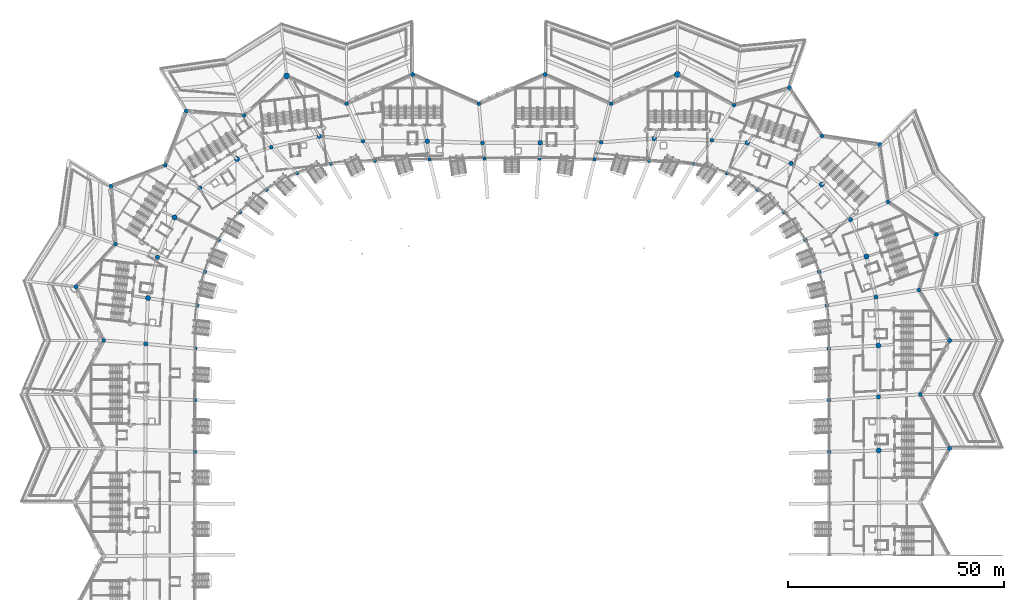
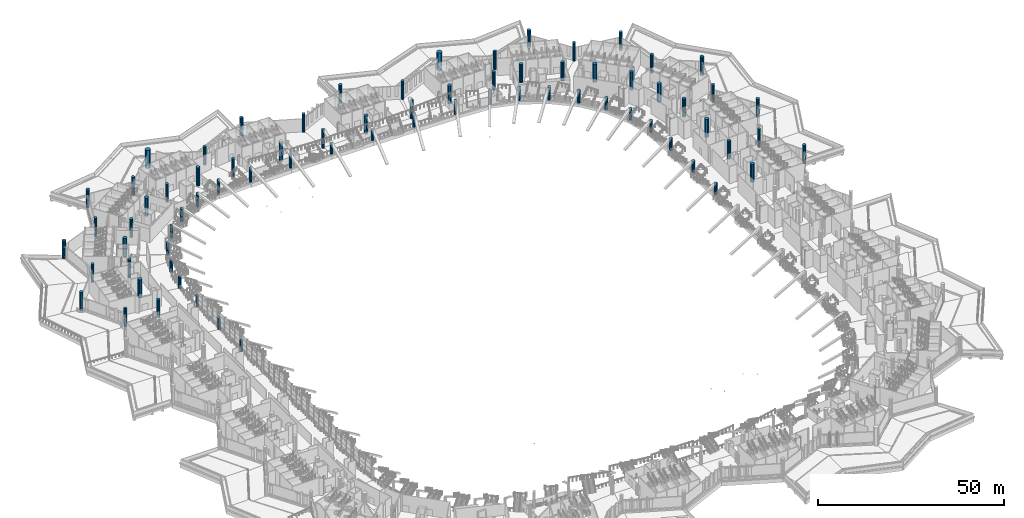
# One storey, part 2 of 173: 74 columns.
"""IFC4 building model written with IfcOpenShell, lengths in metres."""

from ifc_helpers import new_model, si_unit, direction, frame, origin, origin_2d, place, context, subcontext, project, spatial, circle, extrude, material, material_profile, profile_set, type_object, element, save


model = new_model("IFC4")

# Units and contexts
model_context = context("Model", 3, precision=1e-05, world=origin(), true_north=direction((0.0, 1.0)))
body_context = subcontext(model_context, "Body", "Model", "MODEL_VIEW")
ifc_project = project(units=[si_unit("LENGTHUNIT", "METRE"), si_unit("AREAUNIT", "SQUARE_METRE"), si_unit("VOLUMEUNIT", "CUBIC_METRE"), si_unit("PLANEANGLEUNIT", "RADIAN"), si_unit("MASSUNIT", "GRAM", prefix="KILO")], contexts=[model_context])

# Site, building, storey
site_placement = place(None, origin())
site = spatial("IfcSite", under=ifc_project, at=site_placement, CompositionType="ELEMENT")
building_placement = place(site_placement, origin())
building = spatial("IfcBuilding", under=site, at=building_placement, Name="Meseta Stadium", CompositionType="ELEMENT")
storey_placement = place(building_placement, frame((0.0, 0.0, 18.0)))
storey = spatial("IfcBuildingStorey", under=building, at=storey_placement, Name="L03", CompositionType="ELEMENT", Elevation=18.0)

# Columns
ifc_material_1 = material(Name="Concrete C40/50", Category="concrete")
ifc_material_profile_1 = material_profile(ifc_material_1, circle(Radius=0.5, at=origin_2d()), Name="RC D1000")
ifc_profile_set_1 = profile_set([ifc_material_profile_1], Name="Concrete C40/50")
column_type_1 = type_object("IfcColumnType", Name="RC column D1000", PredefinedType="COLUMN", material=ifc_profile_set_1)
for number, where, z_axis, x_axis, name in (
    (1, (101.39990234375, 18.75, 0.0), (0.0, 0.0, 1.0), (1.0, 0.0, 0.0), "Column C10 L03 frame 6 line R"),
    (2, (84.92529296875, 30.681640625, 0.0), (0.0, 0.0, 1.0), (1.0, 0.0, 0.0), "Column C10 L03 frame 7 line P"),
    (3, (101.39990234375, 43.75, 0.0), (0.0, 0.0, 1.0), (1.0, 0.0, 0.0), "Column C10 L03 frame 8 line R"),
    (4, (84.3251953125, 53.801513671875, 0.0), (0.0, 0.0, 1.0), (1.0, 0.0, 0.0), "Column C10 L03 frame 9 line P"),
    (5, (98.291015625, 68.29736328125, 0.0), (0.0, 0.0, 1.0), (1.0, 0.0, 0.0), "Column C10 L03 frame 10 line R"),
    (6, (78.4453125, 71.756103515625, 0.0), (0.0, 0.0, 1.0), (1.0, 0.0, 0.0), "Column C10 L03 frame 11 line P"),
    (7, (85.173828125, 89.173828125, 0.0), (0.0, 0.0, 1.0), (1.0, 0.0, 0.0), "Column C10 L03 frame 12 line R"),
    (8, (64.6220703125, 84.79248046875, 0.0), (0.0, 0.0, 1.0), (1.0, 0.0, 0.0), "Column C10 L03 frame 13 line P"),
    (9, (64.29736328125, 102.291015625, 0.0), (0.0, 0.0, 1.0), (1.0, 0.0, 0.0), "Column C10 L03 frame 14 line R"),
    (10, (7.666748046875, 105.39990234375, 0.0), (0.0, 0.0, 1.0), (1.0, 0.0, 0.0), "Column C10 L03 frame 18 line R"),
    (11, (-23.0, 105.39990234375, 0.0), (0.0, 0.0, 1.0), (1.0, 0.0, 0.0), "Column C10 L03 frame 20 line R"),
    (12, (-75.474609375, 96.908447265625, 0.0), (0.0, 0.0, 1.0), (1.0, 0.0, 0.0), "Column C10 L03 frame 24 line R"),
    (13, (-72.31201171875, 79.091064453125, 0.0), (0.0, 0.0, 1.0), (1.0, 0.0, 0.0), "Column C10 L03 frame 25 line P"),
    (14, (-92.908447265625, 79.474609375, 0.0), (0.0, 0.0, 1.0), (1.0, 0.0, 0.0), "Column C10 L03 frame 26 line R"),
    (15, (-82.169189453125, 63.03369140625, 0.0), (0.0, 0.0, 1.0), (1.0, 0.0, 0.0), "Column C10 L03 frame 27 line P"),
    (16, (-101.0517578125, 56.202880859375, 0.0), (0.0, 0.0, 1.0), (1.0, 0.0, 0.0), "Column C10 L03 frame 28 line R"),
    (17, (-84.85400390625, 42.948486328125, 0.0), (0.0, 0.0, 1.0), (1.0, 0.0, 0.0), "Column C10 L03 frame 29 line P"),
):
    element("IfcColumn", number, at=place(storey_placement, frame(where, z_axis=z_axis, x_axis=x_axis)), inside=storey, type_object=column_type_1, Name=name, PredefinedType="COLUMN", context=body_context, shape_type="SweptSolid", body=[
        extrude(circle(Radius=0.5, at=origin_2d()), origin(), (0.0, 0.0, 1.0), 6.0),
    ])
ifc_material_2 = material(Name="Concrete C40/50", Category="concrete")
ifc_material_profile_2 = material_profile(ifc_material_2, circle(Radius=0.550048828125, at=origin_2d()), Name="RC D1100")
ifc_profile_set_2 = profile_set([ifc_material_profile_2], Name="Concrete C40/50")
column_type_2 = type_object("IfcColumnType", Name="RC column D1100", PredefinedType="COLUMN", material=ifc_profile_set_2)
for number, where, z_axis, x_axis, name in (
    (18, (54.523193359375, 89.579345703125, 0.0), (0.0, 0.0, 1.0), (1.0, 0.0, 0.0), "Column C11 L03 frame 14 line P"),
    (19, (32.944091796875, 90.551025390625, 0.0), (0.0, 0.0, 1.0), (1.0, 0.0, 0.0), "Column C11 L03 frame 16 line P"),
    (20, (6.51708984375, 89.54638671875, 0.0), (0.0, 0.0, 1.0), (1.0, 0.0, 0.0), "Column C11 L03 frame 18 line P"),
    (21, (-19.62744140625, 89.90380859375, 0.0), (0.0, 0.0, 1.0), (1.0, 0.0, 0.0), "Column C11 L03 frame 20 line P"),
    (22, (-44.6826171875, 91.0908203125, 0.0), (0.0, 0.0, 1.0), (1.0, 0.0, 0.0), "Column C11 L03 frame 22 line P"),
):
    element("IfcColumn", number, at=place(storey_placement, frame(where, z_axis=z_axis, x_axis=x_axis)), inside=storey, type_object=column_type_2, Name=name, PredefinedType="COLUMN", context=body_context, shape_type="SweptSolid", body=[
        extrude(circle(Radius=0.550048828125, at=origin_2d()), origin(), (0.0, 0.0, 1.0), 6.0),
    ])
ifc_material_3 = material(Name="Concrete C40/50", Category="concrete")
ifc_material_profile_3 = material_profile(ifc_material_3, circle(Radius=0.60009765625, at=origin_2d()), Name="RC D1200")
ifc_profile_set_3 = profile_set([ifc_material_profile_3], Name="Concrete C40/50")
column_type_3 = type_object("IfcColumnType", Name="RC column D1200", PredefinedType="COLUMN", material=ifc_profile_set_3)
for number, where, z_axis, x_axis, name in (
    (23, (84.978515625, 18.24365234375, 0.0), (0.0, 0.0, 1.0), (1.0, 0.0, 0.0), "Column C12 L03 frame 6 line P"),
    (24, (84.884033203125, 42.5615234375, 0.0), (0.0, 0.0, 1.0), (1.0, 0.0, 0.0), "Column C12 L03 frame 8 line P"),
    (25, (82.119873046875, 63.191162109375, 0.0), (0.0, 0.0, 1.0), (1.0, 0.0, 0.0), "Column C12 L03 frame 10 line P"),
    (26, (71.775390625, 79.888916015625, 0.0), (0.0, 0.0, 1.0), (1.0, 0.0, 0.0), "Column C12 L03 frame 12 line P"),
    (27, (-63.731201171875, 85.77099609375, 0.0), (0.0, 0.0, 1.0), (1.0, 0.0, 0.0), "Column C12 L03 frame 24 line P"),
    (28, (-78.197998046875, 72.27197265625, 0.0), (0.0, 0.0, 1.0), (1.0, 0.0, 0.0), "Column C12 L03 frame 26 line P"),
    (29, (-84.36328125, 53.5654296875, 0.0), (0.0, 0.0, 1.0), (1.0, 0.0, 0.0), "Column C12 L03 frame 28 line P"),
):
    element("IfcColumn", number, at=place(storey_placement, frame(where, z_axis=z_axis, x_axis=x_axis)), inside=storey, type_object=column_type_3, Name=name, PredefinedType="COLUMN", context=body_context, shape_type="SweptSolid", body=[
        extrude(circle(Radius=0.60009765625, at=origin_2d()), origin(), (0.0, 0.0, 1.0), 6.0),
    ])
ifc_material_4 = material(Name="Concrete C40/50", Category="concrete")
ifc_material_profile_4 = material_profile(ifc_material_4, circle(Radius=0.699951171875, at=origin_2d()), Name="RC D1400")
ifc_profile_set_4 = profile_set([ifc_material_profile_4], Name="Concrete C40/50")
column_type_4 = type_object("IfcColumnType", Name="RC column D1400", PredefinedType="COLUMN", material=ifc_profile_set_4)
for number, where, z_axis, x_axis, name in (
    (30, (38.333251953125, 105.39990234375, 0.0), (0.0, 0.0, 1.0), (1.0, 0.0, 0.0), "Column C14 L03 frame 16 line R"),
    (31, (-52.202880859375, 105.0517578125, 0.0), (0.0, 0.0, 1.0), (1.0, 0.0, 0.0), "Column C14 L03 frame 22 line R"),
):
    element("IfcColumn", number, at=place(storey_placement, frame(where, z_axis=z_axis, x_axis=x_axis)), inside=storey, type_object=column_type_4, Name=name, PredefinedType="COLUMN", context=body_context, shape_type="SweptSolid", body=[
        extrude(circle(Radius=0.699951171875, at=origin_2d()), origin(), (0.0, 0.0, 1.0), 6.0),
    ])
ifc_material_5 = material(Name="Concrete C40/50", Category="concrete")
ifc_material_profile_5 = material_profile(ifc_material_5, circle(Radius=0.39990234375, at=origin_2d()), Name="RC D800")
ifc_profile_set_5 = profile_set([ifc_material_profile_5], Name="Concrete C40/50")
column_type_5 = type_object("IfcColumnType", Name="RC column D800", PredefinedType="COLUMN", material=ifc_profile_set_5)
column_1_placement = place(storey_placement, frame((49.791259765625, 82.498779296875, 0.0), z_axis=(0.0, 0.0, 1.0), x_axis=(1.0, 0.0, 0.0)))
element("IfcColumn", 32, at=column_1_placement, inside=storey, type_object=column_type_5, Name="Column C8 L03 frame 14 line E", PredefinedType="COLUMN", context=body_context, shape_type="SweptSolid", body=[
    extrude(circle(Radius=0.39990234375, at=origin_2d()), origin(), (0.0, 0.0, 1.0), 4.396484375),
])
column_2_placement = place(storey_placement, frame((42.015625, 84.707275390625, 0.0), z_axis=(0.0, 0.0, 1.0), x_axis=(1.0, 0.0, 0.0)))
element("IfcColumn", 33, at=column_2_placement, inside=storey, type_object=column_type_5, Name="Column C8 L03 frame 15 line E", PredefinedType="COLUMN", context=body_context, shape_type="SweptSolid", body=[
    extrude(circle(Radius=0.39990234375, at=origin_2d()), origin(), (0.0, 0.0, 1.0), 4.806884765625),
])
column_3_placement = place(storey_placement, frame((31.73681640625, 85.376708984375, 0.0), z_axis=(0.0, 0.0, 1.0), x_axis=(1.0, 0.0, 0.0)))
element("IfcColumn", 34, at=column_3_placement, inside=storey, type_object=column_type_5, Name="Column C8 L03 frame 16 line E", PredefinedType="COLUMN", context=body_context, shape_type="SweptSolid", body=[
    extrude(circle(Radius=0.39990234375, at=origin_2d()), origin(), (0.0, 0.0, 1.0), 4.6865234375),
])
column_4_placement = place(storey_placement, frame((19.11865234375, 85.6982421875, 0.0), z_axis=(0.0, 0.0, 1.0), x_axis=(1.0, 0.0, 0.0)))
element("IfcColumn", 35, at=column_4_placement, inside=storey, type_object=column_type_5, Name="Column C8 L03 frame 17 line E", PredefinedType="COLUMN", context=body_context, shape_type="SweptSolid", body=[
    extrude(circle(Radius=0.39990234375, at=origin_2d()), origin(), (0.0, 0.0, 1.0), 4.1533203125),
])
for number, where, z_axis, x_axis, name in (
    (36, (6.386962890625, 85.876708984375, 0.0), (0.0, 0.0, 1.0), (1.0, 0.0, 0.0), "Column C8 L03 frame 18 line E"),
    (37, (-6.386962890625, 85.876708984375, 0.0), (0.0, 0.0, 1.0), (1.0, 0.0, 0.0), "Column C8 L03 frame 19 line E"),
):
    element("IfcColumn", number, at=place(storey_placement, frame(where, z_axis=z_axis, x_axis=x_axis)), inside=storey, type_object=column_type_5, Name=name, PredefinedType="COLUMN", context=body_context, shape_type="SweptSolid", body=[
        extrude(circle(Radius=0.39990234375, at=origin_2d()), origin(), (0.0, 0.0, 1.0), 3.582763671875),
    ])
column_5_placement = place(storey_placement, frame((-19.11865234375, 85.6982421875, 0.0), z_axis=(0.0, 0.0, 1.0), x_axis=(1.0, 0.0, 0.0)))
element("IfcColumn", 38, at=column_5_placement, inside=storey, type_object=column_type_5, Name="Column C8 L03 frame 20 line E", PredefinedType="COLUMN", context=body_context, shape_type="SweptSolid", body=[
    extrude(circle(Radius=0.39990234375, at=origin_2d()), origin(), (0.0, 0.0, 1.0), 4.1533203125),
])
column_6_placement = place(storey_placement, frame((-31.73681640625, 85.376708984375, 0.0), z_axis=(0.0, 0.0, 1.0), x_axis=(1.0, 0.0, 0.0)))
element("IfcColumn", 39, at=column_6_placement, inside=storey, type_object=column_type_5, Name="Column C8 L03 frame 21 line E", PredefinedType="COLUMN", context=body_context, shape_type="SweptSolid", body=[
    extrude(circle(Radius=0.39990234375, at=origin_2d()), origin(), (0.0, 0.0, 1.0), 4.6865234375),
])
column_7_placement = place(storey_placement, frame((-42.015625, 84.707275390625, 0.0), z_axis=(0.0, 0.0, 1.0), x_axis=(1.0, 0.0, 0.0)))
element("IfcColumn", 40, at=column_7_placement, inside=storey, type_object=column_type_5, Name="Column C8 L03 frame 22 line E", PredefinedType="COLUMN", context=body_context, shape_type="SweptSolid", body=[
    extrude(circle(Radius=0.39990234375, at=origin_2d()), origin(), (0.0, 0.0, 1.0), 4.806884765625),
])
column_8_placement = place(storey_placement, frame((-49.791259765625, 82.498779296875, 0.0), z_axis=(0.0, 0.0, 1.0), x_axis=(1.0, 0.0, 0.0)))
element("IfcColumn", 41, at=column_8_placement, inside=storey, type_object=column_type_5, Name="Column C8 L03 frame 23 line E", PredefinedType="COLUMN", context=body_context, shape_type="SweptSolid", body=[
    extrude(circle(Radius=0.39990234375, at=origin_2d()), origin(), (0.0, 0.0, 1.0), 4.396484375),
])
ifc_material_6 = material(Name="Concrete C40/50", Category="concrete")
ifc_material_profile_6 = material_profile(ifc_material_6, circle(Radius=0.449951171875, at=origin_2d()), Name="RC D900")
ifc_profile_set_6 = profile_set([ifc_material_profile_6], Name="Concrete C40/50")
column_type_6 = type_object("IfcColumnType", Name="RC column D900", PredefinedType="COLUMN", material=ifc_profile_set_6)
column_9_placement = place(storey_placement, frame((73.482421875, 17.943603515625, 0.0), z_axis=(0.0, 0.0, 1.0), x_axis=(1.0, 0.0, 0.0)))
element("IfcColumn", 42, at=column_9_placement, inside=storey, type_object=column_type_6, Name="Column C9 L03 frame 6 line E", PredefinedType="COLUMN", context=body_context, shape_type="SweptSolid", body=[
    extrude(circle(Radius=0.449951171875, at=origin_2d()), origin(), (0.0, 0.0, 1.0), 3.726806640625),
])
column_10_placement = place(storey_placement, frame((73.451171875, 29.904052734375, 0.0), z_axis=(0.0, 0.0, 1.0), x_axis=(1.0, 0.0, 0.0)))
element("IfcColumn", 43, at=column_10_placement, inside=storey, type_object=column_type_6, Name="Column C9 L03 frame 7 line E", PredefinedType="COLUMN", context=body_context, shape_type="SweptSolid", body=[
    extrude(circle(Radius=0.449951171875, at=origin_2d()), origin(), (0.0, 0.0, 1.0), 3.8037109375),
])
column_11_placement = place(storey_placement, frame((94.60009765625, 31.25, 0.0), z_axis=(0.0, 0.0, 1.0), x_axis=(1.0, 0.0, 0.0)))
element("IfcColumn", 44, at=column_11_placement, inside=storey, type_object=column_type_6, Name="Column C9 L03 frame 7 line R", PredefinedType="COLUMN", context=body_context, shape_type="SweptSolid", body=[
    extrude(circle(Radius=0.449951171875, at=origin_2d()), origin(), (0.0, 0.0, 1.0), 6.0),
])
column_12_placement = place(storey_placement, frame((73.40478515625, 41.8623046875, 0.0), z_axis=(0.0, 0.0, 1.0), x_axis=(1.0, 0.0, 0.0)))
element("IfcColumn", 45, at=column_12_placement, inside=storey, type_object=column_type_6, Name="Column C9 L03 frame 8 line E", PredefinedType="COLUMN", context=body_context, shape_type="SweptSolid", body=[
    extrude(circle(Radius=0.449951171875, at=origin_2d()), origin(), (0.0, 0.0, 1.0), 3.88037109375),
])
column_13_placement = place(storey_placement, frame((72.9921875, 51.84716796875, 0.0), z_axis=(0.0, 0.0, 1.0), x_axis=(1.0, 0.0, 0.0)))
element("IfcColumn", 46, at=column_13_placement, inside=storey, type_object=column_type_6, Name="Column C9 L03 frame 9 line E", PredefinedType="COLUMN", context=body_context, shape_type="SweptSolid", body=[
    extrude(circle(Radius=0.449951171875, at=origin_2d()), origin(), (0.0, 0.0, 1.0), 3.880615234375),
])
column_14_placement = place(storey_placement, frame((94.29443359375, 55.44140625, 0.0), z_axis=(0.0, 0.0, 1.0), x_axis=(1.0, 0.0, 0.0)))
element("IfcColumn", 47, at=column_14_placement, inside=storey, type_object=column_type_6, Name="Column C9 L03 frame 9 line R", PredefinedType="COLUMN", context=body_context, shape_type="SweptSolid", body=[
    extrude(circle(Radius=0.449951171875, at=origin_2d()), origin(), (0.0, 0.0, 1.0), 6.0),
])
column_15_placement = place(storey_placement, frame((71.169677734375, 59.67724609375, 0.0), z_axis=(0.0, 0.0, 1.0), x_axis=(1.0, 0.0, 0.0)))
element("IfcColumn", 48, at=column_15_placement, inside=storey, type_object=column_type_6, Name="Column C9 L03 frame 10 line E", PredefinedType="COLUMN", context=body_context, shape_type="SweptSolid", body=[
    extrude(circle(Radius=0.449951171875, at=origin_2d()), origin(), (0.0, 0.0, 1.0), 3.697509765625),
])
column_16_placement = place(storey_placement, frame((67.972412109375, 67.057861328125, 0.0), z_axis=(0.0, 0.0, 1.0), x_axis=(1.0, 0.0, 0.0)))
element("IfcColumn", 49, at=column_16_placement, inside=storey, type_object=column_type_6, Name="Column C9 L03 frame 11 line E", PredefinedType="COLUMN", context=body_context, shape_type="SweptSolid", body=[
    extrude(circle(Radius=0.449951171875, at=origin_2d()), origin(), (0.0, 0.0, 1.0), 3.95361328125),
])
column_17_placement = place(storey_placement, frame((87.15087890625, 75.856689453125, 0.0), z_axis=(0.0, 0.0, 1.0), x_axis=(1.0, 0.0, 0.0)))
element("IfcColumn", 50, at=column_17_placement, inside=storey, type_object=column_type_6, Name="Column C9 L03 frame 11 line R", PredefinedType="COLUMN", context=body_context, shape_type="SweptSolid", body=[
    extrude(circle(Radius=0.449951171875, at=origin_2d()), origin(), (0.0, 0.0, 1.0), 6.0),
])
column_18_placement = place(storey_placement, frame((63.068115234375, 73.469970703125, 0.0), z_axis=(0.0, 0.0, 1.0), x_axis=(1.0, 0.0, 0.0)))
element("IfcColumn", 51, at=column_18_placement, inside=storey, type_object=column_type_6, Name="Column C9 L03 frame 12 line E", PredefinedType="COLUMN", context=body_context, shape_type="SweptSolid", body=[
    extrude(circle(Radius=0.449951171875, at=origin_2d()), origin(), (0.0, 0.0, 1.0), 4.12109375),
])
column_19_placement = place(storey_placement, frame((56.9150390625, 78.69580078125, 0.0), z_axis=(0.0, 0.0, 1.0), x_axis=(1.0, 0.0, 0.0)))
element("IfcColumn", 52, at=column_19_placement, inside=storey, type_object=column_type_6, Name="Column C9 L03 frame 13 line E", PredefinedType="COLUMN", context=body_context, shape_type="SweptSolid", body=[
    extrude(circle(Radius=0.449951171875, at=origin_2d()), origin(), (0.0, 0.0, 1.0), 4.2802734375),
])
for number, where, z_axis, x_axis, name in (
    (53, (71.856689453125, 91.15087890625, 0.0), (0.0, 0.0, 1.0), (1.0, 0.0, 0.0), "Column C9 L03 frame 13 line R"),
    (54, (46.333251953125, 90.126220703125, 0.0), (0.0, 0.0, 1.0), (1.0, 0.0, 0.0), "Column C9 L03 frame 15 line P"),
    (55, (51.44140625, 98.29443359375, 0.0), (0.0, 0.0, 1.0), (1.0, 0.0, 0.0), "Column C9 L03 frame 15 line R"),
    (56, (20.649658203125, 89.65625, 0.0), (0.0, 0.0, 1.0), (1.0, 0.0, 0.0), "Column C9 L03 frame 17 line P"),
    (57, (23.0, 98.60009765625, 0.0), (0.0, 0.0, 1.0), (1.0, 0.0, 0.0), "Column C9 L03 frame 17 line R"),
    (58, (-6.870849609375, 89.517822265625, 0.0), (0.0, 0.0, 1.0), (1.0, 0.0, 0.0), "Column C9 L03 frame 19 line P"),
    (59, (-7.666748046875, 98.60009765625, 0.0), (0.0, 0.0, 1.0), (1.0, 0.0, 0.0), "Column C9 L03 frame 19 line R"),
    (60, (-34.53076171875, 89.911865234375, 0.0), (0.0, 0.0, 1.0), (1.0, 0.0, 0.0), "Column C9 L03 frame 21 line P"),
    (61, (-38.333251953125, 98.60009765625, 0.0), (0.0, 0.0, 1.0), (1.0, 0.0, 0.0), "Column C9 L03 frame 21 line R"),
    (62, (-55.799560546875, 88.541748046875, 0.0), (0.0, 0.0, 1.0), (1.0, 0.0, 0.0), "Column C9 L03 frame 23 line P"),
    (63, (-62.051513671875, 95.872802734375, 0.0), (0.0, 0.0, 1.0), (1.0, 0.0, 0.0), "Column C9 L03 frame 23 line R"),
):
    element("IfcColumn", number, at=place(storey_placement, frame(where, z_axis=z_axis, x_axis=x_axis)), inside=storey, type_object=column_type_6, Name=name, PredefinedType="COLUMN", context=body_context, shape_type="SweptSolid", body=[
        extrude(circle(Radius=0.449951171875, at=origin_2d()), origin(), (0.0, 0.0, 1.0), 6.0),
    ])
column_20_placement = place(storey_placement, frame((-56.9150390625, 78.69580078125, 0.0), z_axis=(0.0, 0.0, 1.0), x_axis=(1.0, 0.0, 0.0)))
element("IfcColumn", 64, at=column_20_placement, inside=storey, type_object=column_type_6, Name="Column C9 L03 frame 24 line E", PredefinedType="COLUMN", context=body_context, shape_type="SweptSolid", body=[
    extrude(circle(Radius=0.449951171875, at=origin_2d()), origin(), (0.0, 0.0, 1.0), 4.2802734375),
])
column_21_placement = place(storey_placement, frame((-63.068115234375, 73.469970703125, 0.0), z_axis=(0.0, 0.0, 1.0), x_axis=(1.0, 0.0, 0.0)))
element("IfcColumn", 65, at=column_21_placement, inside=storey, type_object=column_type_6, Name="Column C9 L03 frame 25 line E", PredefinedType="COLUMN", context=body_context, shape_type="SweptSolid", body=[
    extrude(circle(Radius=0.449951171875, at=origin_2d()), origin(), (0.0, 0.0, 1.0), 4.12109375),
])
column_22_placement = place(storey_placement, frame((-80.365478515625, 84.365478515625, 0.0), z_axis=(0.0, 0.0, 1.0), x_axis=(1.0, 0.0, 0.0)))
element("IfcColumn", 66, at=column_22_placement, inside=storey, type_object=column_type_6, Name="Column C9 L03 frame 25 line R", PredefinedType="COLUMN", context=body_context, shape_type="SweptSolid", body=[
    extrude(circle(Radius=0.449951171875, at=origin_2d()), origin(), (0.0, 0.0, 1.0), 6.0),
])
column_23_placement = place(storey_placement, frame((-67.972412109375, 67.057861328125, 0.0), z_axis=(0.0, 0.0, 1.0), x_axis=(1.0, 0.0, 0.0)))
element("IfcColumn", 67, at=column_23_placement, inside=storey, type_object=column_type_6, Name="Column C9 L03 frame 26 line E", PredefinedType="COLUMN", context=body_context, shape_type="SweptSolid", body=[
    extrude(circle(Radius=0.449951171875, at=origin_2d()), origin(), (0.0, 0.0, 1.0), 3.95361328125),
])
column_24_placement = place(storey_placement, frame((-71.169677734375, 59.67724609375, 0.0), z_axis=(0.0, 0.0, 1.0), x_axis=(1.0, 0.0, 0.0)))
element("IfcColumn", 68, at=column_24_placement, inside=storey, type_object=column_type_6, Name="Column C9 L03 frame 27 line E", PredefinedType="COLUMN", context=body_context, shape_type="SweptSolid", body=[
    extrude(circle(Radius=0.449951171875, at=origin_2d()), origin(), (0.0, 0.0, 1.0), 3.697509765625),
])
column_25_placement = place(storey_placement, frame((-91.872802734375, 66.051513671875, 0.0), z_axis=(0.0, 0.0, 1.0), x_axis=(1.0, 0.0, 0.0)))
element("IfcColumn", 69, at=column_25_placement, inside=storey, type_object=column_type_6, Name="Column C9 L03 frame 27 line R", PredefinedType="COLUMN", context=body_context, shape_type="SweptSolid", body=[
    extrude(circle(Radius=0.449951171875, at=origin_2d()), origin(), (0.0, 0.0, 1.0), 6.0),
])
column_26_placement = place(storey_placement, frame((-72.9921875, 51.84716796875, 0.0), z_axis=(0.0, 0.0, 1.0), x_axis=(1.0, 0.0, 0.0)))
element("IfcColumn", 70, at=column_26_placement, inside=storey, type_object=column_type_6, Name="Column C9 L03 frame 28 line E", PredefinedType="COLUMN", context=body_context, shape_type="SweptSolid", body=[
    extrude(circle(Radius=0.449951171875, at=origin_2d()), origin(), (0.0, 0.0, 1.0), 3.880615234375),
])
column_27_placement = place(storey_placement, frame((-73.40478515625, 41.8623046875, 0.0), z_axis=(0.0, 0.0, 1.0), x_axis=(1.0, 0.0, 0.0)))
element("IfcColumn", 71, at=column_27_placement, inside=storey, type_object=column_type_6, Name="Column C9 L03 frame 29 line E", PredefinedType="COLUMN", context=body_context, shape_type="SweptSolid", body=[
    extrude(circle(Radius=0.449951171875, at=origin_2d()), origin(), (0.0, 0.0, 1.0), 3.88037109375),
])
column_28_placement = place(storey_placement, frame((-94.60009765625, 43.75, 0.0), z_axis=(0.0, 0.0, 1.0), x_axis=(1.0, 0.0, 0.0)))
element("IfcColumn", 72, at=column_28_placement, inside=storey, type_object=column_type_6, Name="Column C9 L03 frame 29 line R", PredefinedType="COLUMN", context=body_context, shape_type="SweptSolid", body=[
    extrude(circle(Radius=0.449951171875, at=origin_2d()), origin(), (0.0, 0.0, 1.0), 6.0),
])
column_29_placement = place(storey_placement, frame((-73.451171875, 29.904052734375, 0.0), z_axis=(0.0, 0.0, 1.0), x_axis=(1.0, 0.0, 0.0)))
element("IfcColumn", 73, at=column_29_placement, inside=storey, type_object=column_type_6, Name="Column C9 L03 frame 30 line E", PredefinedType="COLUMN", context=body_context, shape_type="SweptSolid", body=[
    extrude(circle(Radius=0.449951171875, at=origin_2d()), origin(), (0.0, 0.0, 1.0), 3.8037109375),
])
column_30_placement = place(storey_placement, frame((-73.482421875, 17.943603515625, 0.0), z_axis=(0.0, 0.0, 1.0), x_axis=(1.0, 0.0, 0.0)))
element("IfcColumn", 74, at=column_30_placement, inside=storey, type_object=column_type_6, Name="Column C9 L03 frame 31 line E", PredefinedType="COLUMN", context=body_context, shape_type="SweptSolid", body=[
    extrude(circle(Radius=0.449951171875, at=origin_2d()), origin(), (0.0, 0.0, 1.0), 3.726806640625),
])

save(model, "model.ifc")
